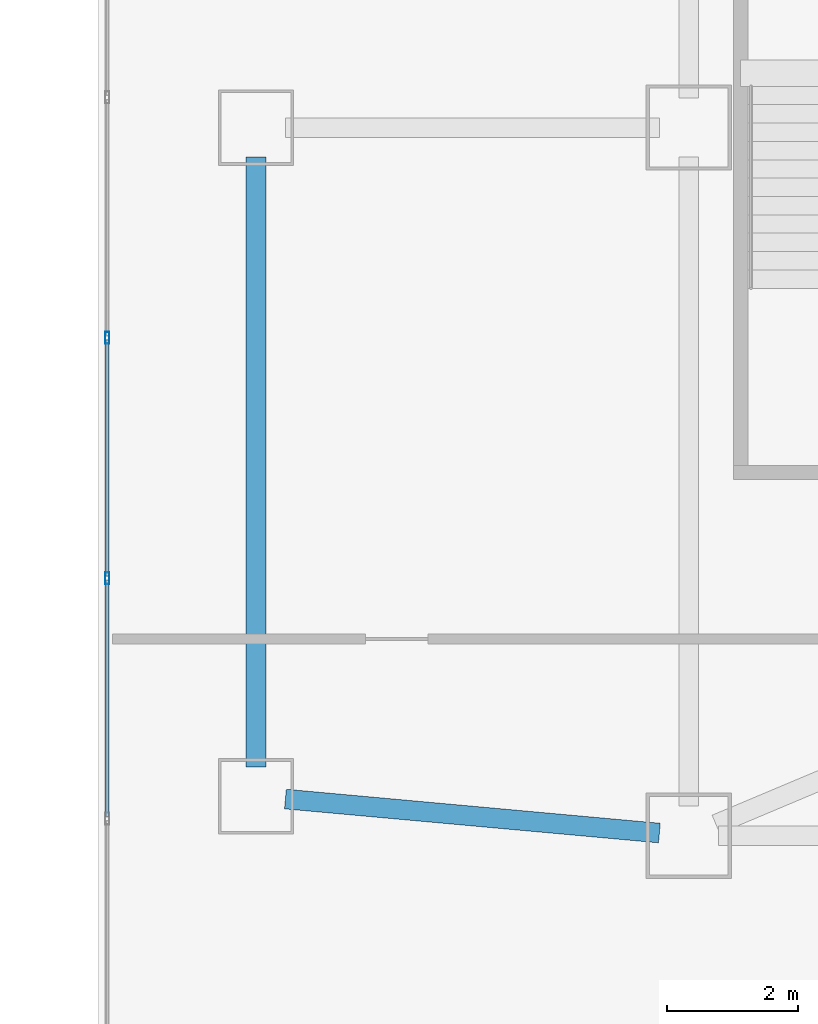
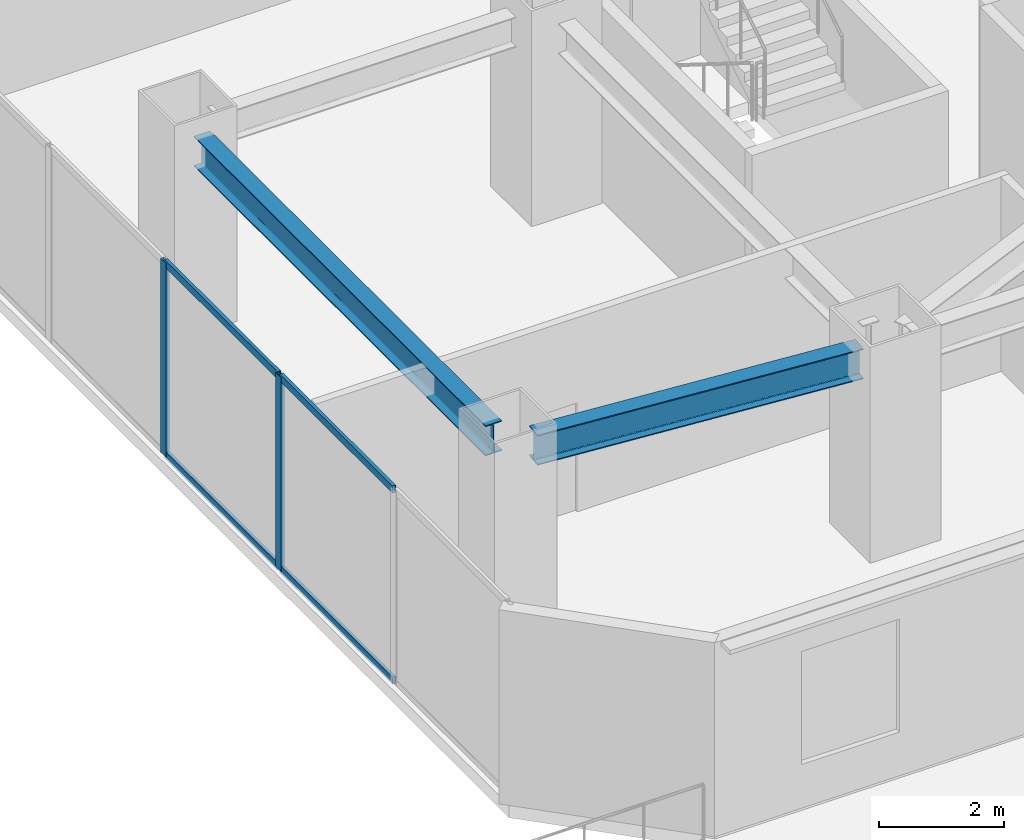
# One storey, part 5 of 32: 6 members, 2 beams, 1 element without a shape of its own.
"""IFC4 building model written with IfcOpenShell, lengths in metres."""

from ifc_helpers import new_model, si_unit, direction, frame, origin, origin_2d, place, context, subcontext, project, spatial, hollow_rectangle, i_section, extrude, material, layer, layer_set, material_profile, profile_set, type_object, element, aggregate, save


model = new_model("IFC4")

# Units and contexts
model_context = context("Model", 3, precision=1e-05, world=origin(), true_north=direction((0.0, 1.0)))
body_context = subcontext(model_context, "Body", "Model", "MODEL_VIEW")
ifc_project = project(units=[si_unit("LENGTHUNIT", "METRE"), si_unit("AREAUNIT", "SQUARE_METRE"), si_unit("VOLUMEUNIT", "CUBIC_METRE"), si_unit("PLANEANGLEUNIT", "RADIAN"), si_unit("MASSUNIT", "GRAM", prefix="KILO")], contexts=[model_context])

# Site, building, storey
site_placement = place(None, origin())
site = spatial("IfcSite", under=ifc_project, at=site_placement, CompositionType="ELEMENT")
building_placement = place(site_placement, origin())
building = spatial("IfcBuilding", under=site, at=building_placement, Name="Haolan Belvedere Tower", CompositionType="ELEMENT")
storey_placement = place(building_placement, frame((0.0, 0.0, 15.60009765625)))
storey = spatial("IfcBuildingStorey", under=building, at=storey_placement, Name="L03", CompositionType="ELEMENT", Elevation=15.60009765625)

# Beams
ifc_material_1 = material(Name="Steel Q355B", Category="steel")
ifc_material_profile_1 = material_profile(ifc_material_1, i_section(OverallWidth=0.300048828125, OverallDepth=0.587890625, WebThickness=0.011962890625, FlangeThickness=0.02001953125, FilletRadius=0.028076171875, at=origin_2d()), Name="Steel Q355B")
ifc_profile_set_1 = profile_set([ifc_material_profile_1], Name="Steel Q355B")
beam_type = type_object("IfcBeamType", Name="BM-HM588x300x12x20", PredefinedType="SPANDREL", material=ifc_profile_set_1)
beam_1_placement = place(storey_placement, frame((6.0, 17.85009765625, 3.48583984375), z_axis=(0.0, 1.0, 0.0), x_axis=(-1.0, 0.0, 0.0)))
element("IfcBeam", 1, at=beam_1_placement, inside=storey, type_object=beam_type, Name="L03 spandrel girder MC-T1-SW-MC-T1-NW", PredefinedType="SPANDREL", context=body_context, shape_type="SweptSolid", body=[
    extrude(i_section(OverallWidth=0.300048828125, OverallDepth=0.587890625, WebThickness=0.011962890625, FlangeThickness=0.02001953125, FilletRadius=0.028076171875, at=origin_2d()), origin(), (0.0, 0.0, 1.0), 9.2998046875),
])
beam_2_placement = place(storey_placement, frame((6.4482421875, 17.359375, 3.48583984375), z_axis=(0.995892507606, -0.090543433189, 0.0), x_axis=(0.090543433189, 0.995892507606, 0.0)))
element("IfcBeam", 2, at=beam_2_placement, inside=storey, type_object=beam_type, Name="L03 spandrel girder MC-T1-SW-MC-T2-SW", PredefinedType="SPANDREL", context=body_context, shape_type="SweptSolid", body=[
    extrude(i_section(OverallWidth=0.300048828125, OverallDepth=0.587890625, WebThickness=0.011962890625, FlangeThickness=0.02001953125, FilletRadius=0.028076171875, at=origin_2d()), origin(), (0.0, 0.0, 1.0), 5.72705078125),
])

# Curtain wall, members
ifc_material_2 = material(Name="Anodised champagne-silver aluminium 6063-T6 and Low-E glass", Category="aluminium")
ifc_layer = layer(ifc_material_2, 0.179931640625, Name="Anodised champagne-silver aluminium 6063-T6 and Low-E glass")
ifc_layer_set = layer_set([ifc_layer], Name="Anodised champagne-silver aluminium 6063-T6 and Low-E glass")
curtain_wall_type = type_object("IfcCurtainWallType", Name="CW-SYS-01", PredefinedType="NOTDEFINED", material=ifc_layer_set)
curtain_wall_placement = place(storey_placement, origin())
curtain_wall = element("IfcCurtainWall", 3, at=curtain_wall_placement, inside=storey, type_object=curtain_wall_type, Name="L03 CW-SYS-01 ribbon curtain wall 4.1", PredefinedType="NOTDEFINED")
ifc_material_3 = material(Name="Anodised aluminium 6063-T6", Category="aluminium")
ifc_material_profile_2 = material_profile(ifc_material_3, hollow_rectangle(XDim=0.06494140625, YDim=0.179931640625, WallThickness=0.00390625, at=origin_2d()), Name="Anodised aluminium 6063-T6")
ifc_profile_set_2 = profile_set([ifc_material_profile_2], Name="Anodised aluminium 6063-T6")
member_type_1 = type_object("IfcMemberType", Name="CW-SYS-01-MUL", PredefinedType="MULLION", material=ifc_profile_set_2)
member_1_placement = place(storey_placement, frame((3.72998046875, 24.39453125, 0.0), z_axis=(0.0, 0.0, 1.0), x_axis=(1.0, 0.0, 0.0)))
member_1 = element("IfcMember", 4, at=member_1_placement, type_object=member_type_1, Name="CW-01 mullion 9", PredefinedType="MULLION", context=body_context, shape_type="SweptSolid", body=[
    extrude(hollow_rectangle(XDim=0.06494140625, YDim=0.179931640625, WallThickness=0.00390625, at=origin_2d()), origin(), (0.0, 0.0, 1.0), 3.77978515625),
])
member_2_placement = place(storey_placement, frame((3.72998046875, 20.7275390625, 0.0), z_axis=(0.0, 0.0, 1.0), x_axis=(1.0, 0.0, 0.0)))
member_2 = element("IfcMember", 5, at=member_2_placement, type_object=member_type_1, Name="CW-01 mullion 10", PredefinedType="MULLION", context=body_context, shape_type="SweptSolid", body=[
    extrude(hollow_rectangle(XDim=0.06494140625, YDim=0.179931640625, WallThickness=0.00390625, at=origin_2d()), origin(), (0.0, 0.0, 1.0), 3.77978515625),
])
ifc_material_profile_3 = material_profile(ifc_material_3, hollow_rectangle(XDim=0.06005859375, YDim=0.139892578125, WallThickness=0.00390625, at=origin_2d()), Name="Anodised aluminium 6063-T6")
ifc_profile_set_3 = profile_set([ifc_material_profile_3], Name="Anodised aluminium 6063-T6")
member_type_2 = type_object("IfcMemberType", Name="CW-SYS-01-TRN", PredefinedType="USERDEFINED", material=ifc_profile_set_3)
member_3_placement = place(storey_placement, frame((3.72998046875, 24.362060546875, 0.02978515625), z_axis=(0.0, -1.0, 0.0), x_axis=(1.0, 0.0, 0.0)))
member_3 = element("IfcMember", 6, at=member_3_placement, type_object=member_type_2, Name="CW-01 transom 9.1", ObjectType="TRANSOM", PredefinedType="USERDEFINED", context=body_context, shape_type="SweptSolid", body=[
    extrude(hollow_rectangle(XDim=0.06005859375, YDim=0.139892578125, WallThickness=0.00390625, at=origin_2d()), origin(), (0.0, 0.0, 1.0), 3.601806640625),
])
member_4_placement = place(storey_placement, frame((3.72998046875, 24.362060546875, 3.75), z_axis=(0.0, -1.0, 0.0), x_axis=(1.0, 0.0, 0.0)))
member_4 = element("IfcMember", 7, at=member_4_placement, type_object=member_type_2, Name="CW-01 transom 9.2", ObjectType="TRANSOM", PredefinedType="USERDEFINED", context=body_context, shape_type="SweptSolid", body=[
    extrude(hollow_rectangle(XDim=0.06005859375, YDim=0.139892578125, WallThickness=0.00390625, at=origin_2d()), origin(), (0.0, 0.0, 1.0), 3.601806640625),
])
member_5_placement = place(storey_placement, frame((3.72998046875, 20.695068359375, 0.02978515625), z_axis=(0.0, -1.0, 0.0), x_axis=(1.0, 0.0, 0.0)))
member_5 = element("IfcMember", 8, at=member_5_placement, type_object=member_type_2, Name="CW-01 transom 10.1", ObjectType="TRANSOM", PredefinedType="USERDEFINED", context=body_context, shape_type="SweptSolid", body=[
    extrude(hollow_rectangle(XDim=0.06005859375, YDim=0.139892578125, WallThickness=0.00390625, at=origin_2d()), origin(), (0.0, 0.0, 1.0), 3.601806640625),
])
member_6_placement = place(storey_placement, frame((3.72998046875, 20.695068359375, 3.75), z_axis=(0.0, -1.0, 0.0), x_axis=(1.0, 0.0, 0.0)))
member_6 = element("IfcMember", 9, at=member_6_placement, type_object=member_type_2, Name="CW-01 transom 10.2", ObjectType="TRANSOM", PredefinedType="USERDEFINED", context=body_context, shape_type="SweptSolid", body=[
    extrude(hollow_rectangle(XDim=0.06005859375, YDim=0.139892578125, WallThickness=0.00390625, at=origin_2d()), origin(), (0.0, 0.0, 1.0), 3.601806640625),
])
aggregate(curtain_wall, [member_1, member_2, member_3, member_4, member_5, member_6])

save(model, "model.ifc")
